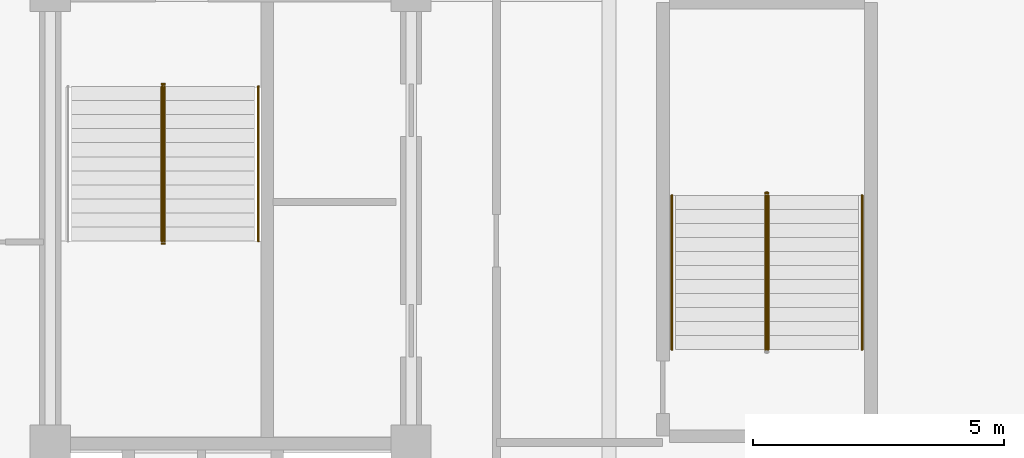
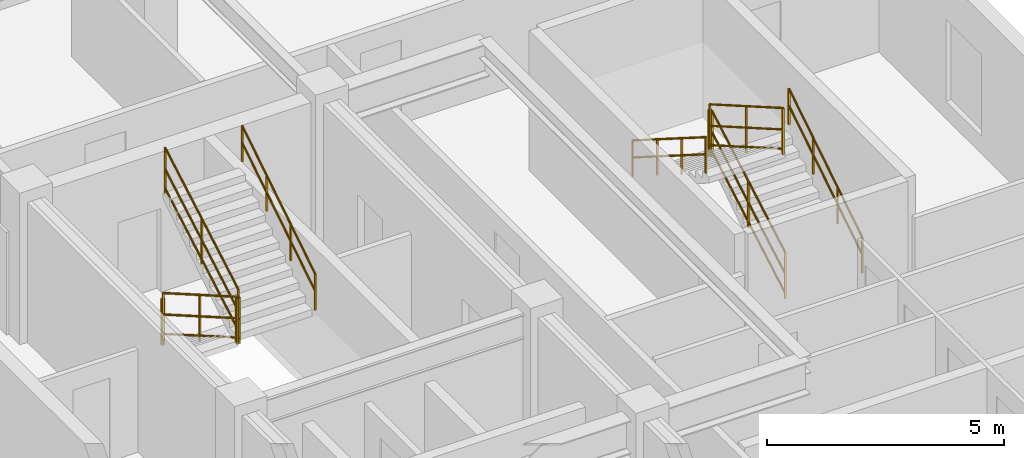
# One storey, part 10 of 10: 10 railings.
"""IFC4 building model written with IfcOpenShell, lengths in metres."""

from ifc_helpers import new_model, entity, si_unit, converted_unit, direction, frame, origin_with_axes, origin_2d_with_axis, place, context, subcontext, project, spatial, rectangle, circle, extrude, material, type_object, element, save


model = new_model("IFC4")

# Units and contexts
model_context = context("Model", 3, precision=1e-05, world=origin_with_axes(), true_north=direction((0.0, 1.0)))
body_context = subcontext(model_context, "Body", "Model", "MODEL_VIEW")
ifc_project = project(units=[si_unit("LENGTHUNIT", "METRE"), si_unit("AREAUNIT", "SQUARE_METRE"), si_unit("VOLUMEUNIT", "CUBIC_METRE"), converted_unit("PLANEANGLEUNIT", "DEGREE", entity("IfcPlaneAngleMeasure", 0.017453292519943295), si_unit("PLANEANGLEUNIT", "RADIAN"), dimensions=[0, 0, 0, 0, 0, 0, 0]), si_unit("MASSUNIT", "GRAM", prefix="KILO"), si_unit("THERMODYNAMICTEMPERATUREUNIT", "KELVIN")], contexts=[model_context])

# Site, building, storey
site_placement = place(None, origin_with_axes())
site = spatial("IfcSite", under=ifc_project, at=site_placement, CompositionType="ELEMENT")
building_placement = place(site_placement, origin_with_axes())
building = spatial("IfcBuilding", under=site, at=building_placement, Name="Varnlund Millrace Tower", CompositionType="ELEMENT")
storey_placement = place(building_placement, frame((0.0, 0.0, 284.1), z_axis=(0.0, 0.0, 1.0), x_axis=(1.0, 0.0, 0.0)))
storey = spatial("IfcBuildingStorey", under=building, at=storey_placement, Name="L70", CompositionType="ELEMENT", Elevation=284.1)

# Railings
ifc_material_1 = material(Name="Painted steel stair well balustrade guard", Category="steel")
railing_type_1 = type_object("IfcRailingType", Name="Type-StairGuard-1150", PredefinedType="GUARDRAIL", material=ifc_material_1)
railing_1_placement = place(storey_placement, frame((0.0, 0.0, -284.1), z_axis=(0.0, 0.0, 1.0), x_axis=(1.0, 0.0, 0.0)))
element("IfcRailing", 1, at=railing_1_placement, inside=storey, type_object=railing_type_1, Name="Type-StairGuard-1150", PredefinedType="GUARDRAIL", context=body_context, shape_type="SweptSolid", body=[
    extrude(circle(Radius=0.024, at=origin_2d_with_axis()), frame((13.625, 35.9, 285.427273), z_axis=(0.0, -0.866696, 0.498836), x_axis=(1.0, 0.0, 0.0)), (0.0, 0.0, 1.0), 3.553725),
    extrude(circle(Radius=0.024, at=origin_2d_with_axis()), frame((13.625, 35.9, 284.377273), z_axis=(0.0, -0.866696, 0.498836), x_axis=(1.0, 0.0, 0.0)), (0.0, 0.0, 1.0), 3.553725),
    extrude(circle(Radius=0.024, at=origin_2d_with_axis()), frame((13.625, 35.9, 284.875273), z_axis=(0.0, -0.866696, 0.498836), x_axis=(1.0, 0.0, 0.0)), (0.0, 0.0, 1.0), 3.553725),
    extrude(rectangle(XDim=0.04, YDim=0.04, at=origin_2d_with_axis()), frame((13.625, 35.9, 284.237273), z_axis=(0.0, 0.0, 1.0), x_axis=(1.0, 0.0, 0.0)), (0.0, 0.0, 1.0), 1.19),
    extrude(rectangle(XDim=0.04, YDim=0.04, at=origin_2d_with_axis()), frame((13.625, 34.36, 285.123636), z_axis=(0.0, 0.0, 1.0), x_axis=(1.0, 0.0, 0.0)), (0.0, 0.0, 1.0), 1.19),
    extrude(rectangle(XDim=0.04, YDim=0.04, at=origin_2d_with_axis()), frame((13.625, 32.82, 286.01), z_axis=(0.0, 0.0, 1.0), x_axis=(1.0, 0.0, 0.0)), (0.0, 0.0, 1.0), 1.19),
])
railing_2_placement = place(storey_placement, frame((0.0, 0.0, -284.1), z_axis=(0.0, 0.0, 1.0), x_axis=(1.0, 0.0, 0.0)))
element("IfcRailing", 2, at=railing_2_placement, inside=storey, type_object=railing_type_1, Name="Type-StairGuard-1150", PredefinedType="GUARDRAIL", context=body_context, shape_type="SweptSolid", body=[
    extrude(circle(Radius=0.024, at=origin_2d_with_axis()), frame((13.675, 32.77, 287.2), z_axis=(-1.0, 0.0, 0.0), x_axis=(0.0, -1.0, 0.0)), (0.0, 0.0, 1.0), 0.05),
    extrude(circle(Radius=0.024, at=origin_2d_with_axis()), frame((13.675, 32.77, 286.15), z_axis=(-1.0, 0.0, 0.0), x_axis=(0.0, -1.0, 0.0)), (0.0, 0.0, 1.0), 0.05),
    extrude(circle(Radius=0.024, at=origin_2d_with_axis()), frame((13.675, 32.77, 286.648), z_axis=(-1.0, 0.0, 0.0), x_axis=(0.0, -1.0, 0.0)), (0.0, 0.0, 1.0), 0.05),
    extrude(rectangle(XDim=0.04, YDim=0.04, at=origin_2d_with_axis()), frame((13.675, 32.77, 286.01), z_axis=(0.0, 0.0, 1.0), x_axis=(1.0, 0.0, 0.0)), (0.0, 0.0, 1.0), 1.19),
    extrude(rectangle(XDim=0.04, YDim=0.04, at=origin_2d_with_axis()), frame((13.625, 32.77, 286.01), z_axis=(0.0, 0.0, 1.0), x_axis=(1.0, 0.0, 0.0)), (0.0, 0.0, 1.0), 1.19),
])
railing_3_placement = place(storey_placement, frame((0.0, 0.0, -284.1), z_axis=(0.0, 0.0, 1.0), x_axis=(1.0, 0.0, 0.0)))
element("IfcRailing", 3, at=railing_3_placement, inside=storey, type_object=railing_type_1, Name="Type-StairGuard-1150", PredefinedType="GUARDRAIL", context=body_context, shape_type="SweptSolid", body=[
    extrude(circle(Radius=0.024, at=origin_2d_with_axis()), frame((13.675, 32.82, 287.377273), z_axis=(0.0, 0.866696, 0.498836), x_axis=(-1.0, 0.0, 0.0)), (0.0, 0.0, 1.0), 3.553725),
    extrude(circle(Radius=0.024, at=origin_2d_with_axis()), frame((13.675, 32.82, 286.327273), z_axis=(0.0, 0.866696, 0.498836), x_axis=(-1.0, 0.0, 0.0)), (0.0, 0.0, 1.0), 3.553725),
    extrude(circle(Radius=0.024, at=origin_2d_with_axis()), frame((13.675, 32.82, 286.825273), z_axis=(0.0, 0.866696, 0.498836), x_axis=(-1.0, 0.0, 0.0)), (0.0, 0.0, 1.0), 3.553725),
    extrude(rectangle(XDim=0.04, YDim=0.04, at=origin_2d_with_axis()), frame((13.675, 32.82, 286.187273), z_axis=(0.0, 0.0, 1.0), x_axis=(1.0, 0.0, 0.0)), (0.0, 0.0, 1.0), 1.19),
    extrude(rectangle(XDim=0.04, YDim=0.04, at=origin_2d_with_axis()), frame((13.675, 34.36, 287.073636), z_axis=(0.0, 0.0, 1.0), x_axis=(1.0, 0.0, 0.0)), (0.0, 0.0, 1.0), 1.19),
    extrude(rectangle(XDim=0.04, YDim=0.04, at=origin_2d_with_axis()), frame((13.675, 35.9, 287.96), z_axis=(0.0, 0.0, 1.0), x_axis=(1.0, 0.0, 0.0)), (0.0, 0.0, 1.0), 1.19),
])
railing_4_placement = place(storey_placement, frame((0.0, 0.0, -284.1), z_axis=(0.0, 0.0, 1.0), x_axis=(1.0, 0.0, 0.0)))
element("IfcRailing", 4, at=railing_4_placement, inside=storey, type_object=railing_type_1, Name="Type-StairGuard-1150", PredefinedType="GUARDRAIL", context=body_context, shape_type="SweptSolid", body=[
    extrude(circle(Radius=0.024, at=origin_2d_with_axis()), frame((13.675, 35.95, 285.25), z_axis=(-1.0, 0.0, 0.0), x_axis=(0.0, -1.0, 0.0)), (0.0, 0.0, 1.0), 0.05),
    extrude(circle(Radius=0.024, at=origin_2d_with_axis()), frame((13.675, 35.95, 284.2), z_axis=(-1.0, 0.0, 0.0), x_axis=(0.0, -1.0, 0.0)), (0.0, 0.0, 1.0), 0.05),
    extrude(circle(Radius=0.024, at=origin_2d_with_axis()), frame((13.675, 35.95, 284.698), z_axis=(-1.0, 0.0, 0.0), x_axis=(0.0, -1.0, 0.0)), (0.0, 0.0, 1.0), 0.05),
    extrude(rectangle(XDim=0.04, YDim=0.04, at=origin_2d_with_axis()), frame((13.675, 35.95, 284.06), z_axis=(0.0, 0.0, 1.0), x_axis=(1.0, 0.0, 0.0)), (0.0, 0.0, 1.0), 1.19),
    extrude(rectangle(XDim=0.04, YDim=0.04, at=origin_2d_with_axis()), frame((13.625, 35.95, 284.06), z_axis=(0.0, 0.0, 1.0), x_axis=(1.0, 0.0, 0.0)), (0.0, 0.0, 1.0), 1.19),
])
railing_5_placement = place(storey_placement, frame((0.0, 0.0, -284.1), z_axis=(0.0, 0.0, 1.0), x_axis=(1.0, 0.0, 0.0)))
element("IfcRailing", 5, at=railing_5_placement, inside=storey, type_object=railing_type_1, Name="Type-StairGuard-1150", PredefinedType="GUARDRAIL", context=body_context, shape_type="SweptSolid", body=[
    extrude(circle(Radius=0.024, at=origin_2d_with_axis()), frame((25.725, 30.65, 285.427273), z_axis=(0.0, 0.866696, 0.498836), x_axis=(-1.0, 0.0, 0.0)), (0.0, 0.0, 1.0), 3.553725),
    extrude(circle(Radius=0.024, at=origin_2d_with_axis()), frame((25.725, 30.65, 284.377273), z_axis=(0.0, 0.866696, 0.498836), x_axis=(-1.0, 0.0, 0.0)), (0.0, 0.0, 1.0), 3.553725),
    extrude(circle(Radius=0.024, at=origin_2d_with_axis()), frame((25.725, 30.65, 284.875273), z_axis=(0.0, 0.866696, 0.498836), x_axis=(-1.0, 0.0, 0.0)), (0.0, 0.0, 1.0), 3.553725),
    extrude(rectangle(XDim=0.04, YDim=0.04, at=origin_2d_with_axis()), frame((25.725, 30.65, 284.237273), z_axis=(0.0, 0.0, 1.0), x_axis=(1.0, 0.0, 0.0)), (0.0, 0.0, 1.0), 1.19),
    extrude(rectangle(XDim=0.04, YDim=0.04, at=origin_2d_with_axis()), frame((25.725, 32.19, 285.123636), z_axis=(0.0, 0.0, 1.0), x_axis=(1.0, 0.0, 0.0)), (0.0, 0.0, 1.0), 1.19),
    extrude(rectangle(XDim=0.04, YDim=0.04, at=origin_2d_with_axis()), frame((25.725, 33.73, 286.01), z_axis=(0.0, 0.0, 1.0), x_axis=(1.0, 0.0, 0.0)), (0.0, 0.0, 1.0), 1.19),
])
railing_6_placement = place(storey_placement, frame((0.0, 0.0, -284.1), z_axis=(0.0, 0.0, 1.0), x_axis=(1.0, 0.0, 0.0)))
element("IfcRailing", 6, at=railing_6_placement, inside=storey, type_object=railing_type_1, Name="Type-StairGuard-1150", PredefinedType="GUARDRAIL", context=body_context, shape_type="SweptSolid", body=[
    extrude(circle(Radius=0.024, at=origin_2d_with_axis()), frame((25.675, 33.78, 287.2), z_axis=(1.0, 0.0, 0.0), x_axis=(0.0, 1.0, 0.0)), (0.0, 0.0, 1.0), 0.05),
    extrude(circle(Radius=0.024, at=origin_2d_with_axis()), frame((25.675, 33.78, 286.15), z_axis=(1.0, 0.0, 0.0), x_axis=(0.0, 1.0, 0.0)), (0.0, 0.0, 1.0), 0.05),
    extrude(circle(Radius=0.024, at=origin_2d_with_axis()), frame((25.675, 33.78, 286.648), z_axis=(1.0, 0.0, 0.0), x_axis=(0.0, 1.0, 0.0)), (0.0, 0.0, 1.0), 0.05),
    extrude(rectangle(XDim=0.04, YDim=0.04, at=origin_2d_with_axis()), frame((25.675, 33.78, 286.01), z_axis=(0.0, 0.0, 1.0), x_axis=(1.0, 0.0, 0.0)), (0.0, 0.0, 1.0), 1.19),
    extrude(rectangle(XDim=0.04, YDim=0.04, at=origin_2d_with_axis()), frame((25.725, 33.78, 286.01), z_axis=(0.0, 0.0, 1.0), x_axis=(1.0, 0.0, 0.0)), (0.0, 0.0, 1.0), 1.19),
])
railing_7_placement = place(storey_placement, frame((0.0, 0.0, -284.1), z_axis=(0.0, 0.0, 1.0), x_axis=(1.0, 0.0, 0.0)))
element("IfcRailing", 7, at=railing_7_placement, inside=storey, type_object=railing_type_1, Name="Type-StairGuard-1150", PredefinedType="GUARDRAIL", context=body_context, shape_type="SweptSolid", body=[
    extrude(circle(Radius=0.024, at=origin_2d_with_axis()), frame((25.675, 33.73, 287.377273), z_axis=(0.0, -0.866696, 0.498836), x_axis=(1.0, 0.0, 0.0)), (0.0, 0.0, 1.0), 3.553725),
    extrude(circle(Radius=0.024, at=origin_2d_with_axis()), frame((25.675, 33.73, 286.327273), z_axis=(0.0, -0.866696, 0.498836), x_axis=(1.0, 0.0, 0.0)), (0.0, 0.0, 1.0), 3.553725),
    extrude(circle(Radius=0.024, at=origin_2d_with_axis()), frame((25.675, 33.73, 286.825273), z_axis=(0.0, -0.866696, 0.498836), x_axis=(1.0, 0.0, 0.0)), (0.0, 0.0, 1.0), 3.553725),
    extrude(rectangle(XDim=0.04, YDim=0.04, at=origin_2d_with_axis()), frame((25.675, 33.73, 286.187273), z_axis=(0.0, 0.0, 1.0), x_axis=(1.0, 0.0, 0.0)), (0.0, 0.0, 1.0), 1.19),
    extrude(rectangle(XDim=0.04, YDim=0.04, at=origin_2d_with_axis()), frame((25.675, 32.19, 287.073636), z_axis=(0.0, 0.0, 1.0), x_axis=(1.0, 0.0, 0.0)), (0.0, 0.0, 1.0), 1.19),
    extrude(rectangle(XDim=0.04, YDim=0.04, at=origin_2d_with_axis()), frame((25.675, 30.65, 287.96), z_axis=(0.0, 0.0, 1.0), x_axis=(1.0, 0.0, 0.0)), (0.0, 0.0, 1.0), 1.19),
])
ifc_material_2 = material(Name="Brushed architectural bronze stair handrail", Category="aluminium")
railing_type_2 = type_object("IfcRailingType", Name="Type-StairHandrail-900", PredefinedType="HANDRAIL", material=ifc_material_2)
railing_8_placement = place(storey_placement, frame((0.0, 0.0, -284.1), z_axis=(0.0, 0.0, 1.0), x_axis=(1.0, 0.0, 0.0)))
element("IfcRailing", 8, at=railing_8_placement, inside=storey, type_object=railing_type_2, Name="Type-StairHandrail-900", PredefinedType="HANDRAIL", context=body_context, shape_type="SweptSolid", body=[
    extrude(circle(Radius=0.024, at=origin_2d_with_axis()), frame((15.55, 32.82, 287.106995), z_axis=(0.0, 0.844902, 0.534922), x_axis=(-1.0, 0.0, 0.0)), (0.0, 0.0, 1.0), 3.645394),
    extrude(circle(Radius=0.024, at=origin_2d_with_axis()), frame((15.55, 32.82, 286.667134), z_axis=(0.0, 0.844902, 0.534922), x_axis=(-1.0, 0.0, 0.0)), (0.0, 0.0, 1.0), 3.645394),
    extrude(rectangle(XDim=0.04, YDim=0.04, at=origin_2d_with_axis()), frame((15.55, 32.82, 286.187273), z_axis=(0.0, 0.0, 1.0), x_axis=(1.0, 0.0, 0.0)), (0.0, 0.0, 1.0), 0.919722),
    extrude(rectangle(XDim=0.04, YDim=0.04, at=origin_2d_with_axis()), frame((15.55, 33.846667, 286.837273), z_axis=(0.0, 0.0, 1.0), x_axis=(1.0, 0.0, 0.0)), (0.0, 0.0, 1.0), 0.919722),
    extrude(rectangle(XDim=0.04, YDim=0.04, at=origin_2d_with_axis()), frame((15.55, 34.873333, 287.487273), z_axis=(0.0, 0.0, 1.0), x_axis=(1.0, 0.0, 0.0)), (0.0, 0.0, 1.0), 0.919722),
    extrude(rectangle(XDim=0.04, YDim=0.04, at=origin_2d_with_axis()), frame((15.55, 35.9, 288.137273), z_axis=(0.0, 0.0, 1.0), x_axis=(1.0, 0.0, 0.0)), (0.0, 0.0, 1.0), 0.919722),
])
railing_9_placement = place(storey_placement, frame((0.0, 0.0, -284.1), z_axis=(0.0, 0.0, 1.0), x_axis=(1.0, 0.0, 0.0)))
element("IfcRailing", 9, at=railing_9_placement, inside=storey, type_object=railing_type_2, Name="Type-StairHandrail-900", PredefinedType="HANDRAIL", context=body_context, shape_type="SweptSolid", body=[
    extrude(circle(Radius=0.024, at=origin_2d_with_axis()), frame((27.6, 30.65, 285.156995), z_axis=(0.0, 0.844902, 0.534922), x_axis=(-1.0, 0.0, 0.0)), (0.0, 0.0, 1.0), 3.645394),
    extrude(circle(Radius=0.024, at=origin_2d_with_axis()), frame((27.6, 30.65, 284.717134), z_axis=(0.0, 0.844902, 0.534922), x_axis=(-1.0, 0.0, 0.0)), (0.0, 0.0, 1.0), 3.645394),
    extrude(rectangle(XDim=0.04, YDim=0.04, at=origin_2d_with_axis()), frame((27.6, 30.65, 284.237273), z_axis=(0.0, 0.0, 1.0), x_axis=(1.0, 0.0, 0.0)), (0.0, 0.0, 1.0), 0.919722),
    extrude(rectangle(XDim=0.04, YDim=0.04, at=origin_2d_with_axis()), frame((27.6, 31.676667, 284.887273), z_axis=(0.0, 0.0, 1.0), x_axis=(1.0, 0.0, 0.0)), (0.0, 0.0, 1.0), 0.919722),
    extrude(rectangle(XDim=0.04, YDim=0.04, at=origin_2d_with_axis()), frame((27.6, 32.703333, 285.537273), z_axis=(0.0, 0.0, 1.0), x_axis=(1.0, 0.0, 0.0)), (0.0, 0.0, 1.0), 0.919722),
    extrude(rectangle(XDim=0.04, YDim=0.04, at=origin_2d_with_axis()), frame((27.6, 33.73, 286.187273), z_axis=(0.0, 0.0, 1.0), x_axis=(1.0, 0.0, 0.0)), (0.0, 0.0, 1.0), 0.919722),
])
railing_10_placement = place(storey_placement, frame((0.0, 0.0, -284.1), z_axis=(0.0, 0.0, 1.0), x_axis=(1.0, 0.0, 0.0)))
element("IfcRailing", 10, at=railing_10_placement, inside=storey, type_object=railing_type_2, Name="Type-StairHandrail-900", PredefinedType="HANDRAIL", context=body_context, shape_type="SweptSolid", body=[
    extrude(circle(Radius=0.024, at=origin_2d_with_axis()), frame((23.8, 33.73, 287.106995), z_axis=(0.0, -0.844902, 0.534922), x_axis=(1.0, 0.0, 0.0)), (0.0, 0.0, 1.0), 3.645394),
    extrude(circle(Radius=0.024, at=origin_2d_with_axis()), frame((23.8, 33.73, 286.667134), z_axis=(0.0, -0.844902, 0.534922), x_axis=(1.0, 0.0, 0.0)), (0.0, 0.0, 1.0), 3.645394),
    extrude(rectangle(XDim=0.04, YDim=0.04, at=origin_2d_with_axis()), frame((23.8, 33.73, 286.187273), z_axis=(0.0, 0.0, 1.0), x_axis=(1.0, 0.0, 0.0)), (0.0, 0.0, 1.0), 0.919722),
    extrude(rectangle(XDim=0.04, YDim=0.04, at=origin_2d_with_axis()), frame((23.8, 32.703333, 286.837273), z_axis=(0.0, 0.0, 1.0), x_axis=(1.0, 0.0, 0.0)), (0.0, 0.0, 1.0), 0.919722),
    extrude(rectangle(XDim=0.04, YDim=0.04, at=origin_2d_with_axis()), frame((23.8, 31.676667, 287.487273), z_axis=(0.0, 0.0, 1.0), x_axis=(1.0, 0.0, 0.0)), (0.0, 0.0, 1.0), 0.919722),
    extrude(rectangle(XDim=0.04, YDim=0.04, at=origin_2d_with_axis()), frame((23.8, 30.65, 288.137273), z_axis=(0.0, 0.0, 1.0), x_axis=(1.0, 0.0, 0.0)), (0.0, 0.0, 1.0), 0.919722),
])

save(model, "model.ifc")
